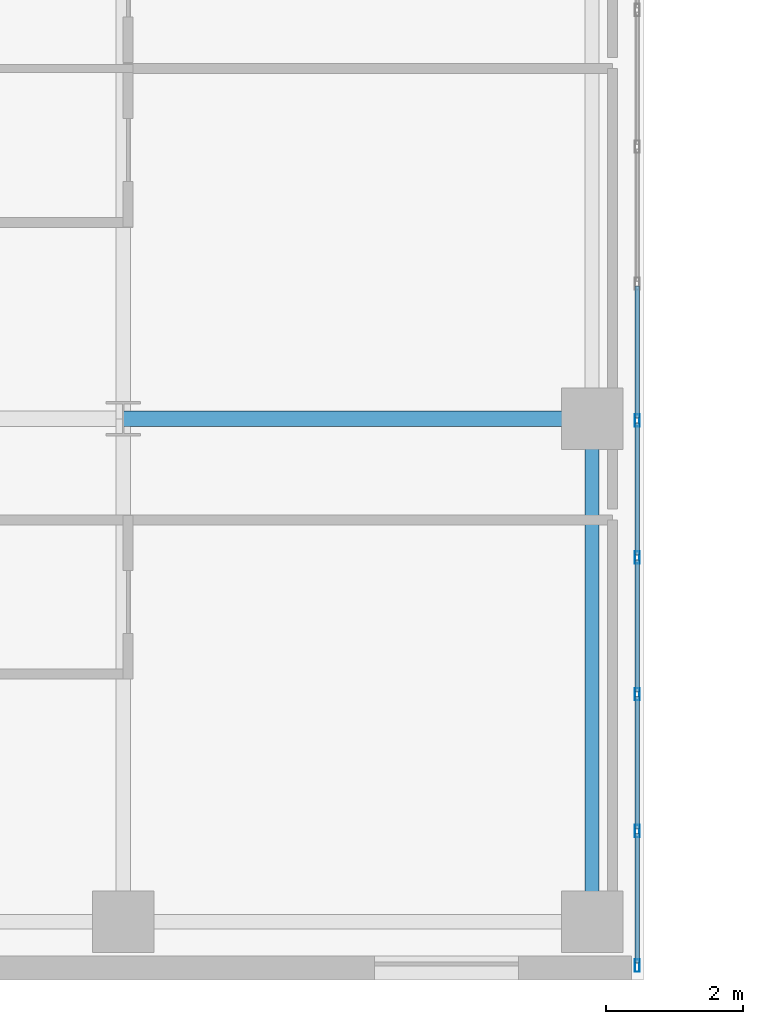
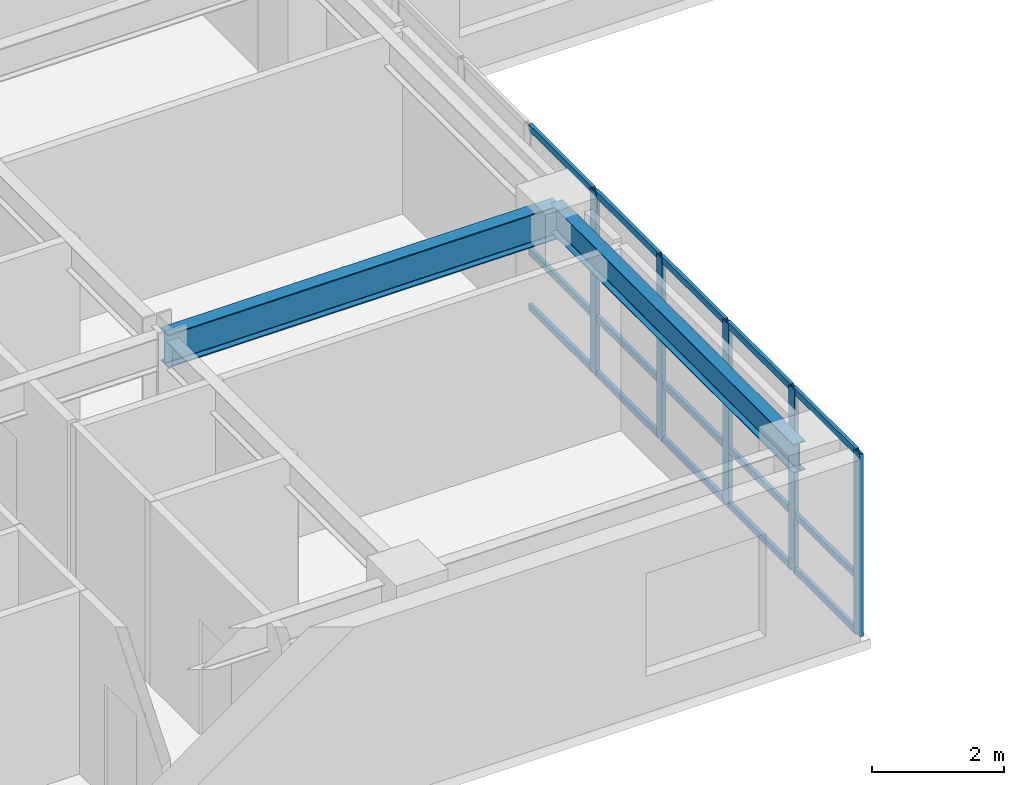
# One storey, part 2 of 17: 20 members, 2 beams, 1 element without a shape of its own.
"""IFC4 building model written with IfcOpenShell, lengths in metres."""

import ifcopenshell
import ifcopenshell.guid

model = None  # the IFC model being written
_history = None  # IfcOwnerHistory: only IFC2X3 demands one
_inside = {}  # id of a spatial element -> (the spatial element, [elements in it])
_under = {}  # id of a project, library or spatial element -> (it, [spatial elements below it])
_declared = {}  # id of a project -> (the project, [libraries it declares])
_typed = {}  # id of a type object -> (the type object, [elements of that type])
_made_of = {}  # id of a material, layer set ... -> (it, [elements and type objects made of it])


def new_model(schema):
    """Start an empty IFC model of exactly this schema.

    Asked for "IFC4X3", IfcOpenShell would pick the latest addendum, in which some entities
    have other attributes; the version numbers below select the first issue.
    IFC2X3 requires an IfcOwnerHistory on every rooted entity: one is made here for all.
    """
    global model, _history
    if schema == "IFC4X3":
        model = ifcopenshell.file(schema_version=(4, 3, 0, 0))
    else:
        model = ifcopenshell.file(schema=schema)
    _inside.clear()
    _under.clear()
    _declared.clear()
    _typed.clear()
    _made_of.clear()
    _history = None
    if model.schema == "IFC2X3":
        org = make("IfcOrganization", Name="unknown")
        user = make(
            "IfcPersonAndOrganization",
            ThePerson=make("IfcPerson", FamilyName="unknown"),
            TheOrganization=org,
        )
        app = make(
            "IfcApplication",
            ApplicationDeveloper=org,
            Version="unknown",
            ApplicationFullName="unknown",
            ApplicationIdentifier="unknown",
        )
        _history = make(
            "IfcOwnerHistory",
            OwningUser=user,
            OwningApplication=app,
            ChangeAction="ADDED",
            CreationDate=0,
        )
    return model


def make(cls, **values):
    """One entity of the class cls with the attributes given. An attribute that is None is left unset."""
    return model.create_entity(
        cls, **{name: value for name, value in values.items() if value is not None}
    )


def rooted(cls, **values):
    """An entity with a GlobalId (a new one), such as an element, a storey or a relation."""
    return make(cls, GlobalId=ifcopenshell.guid.new(), OwnerHistory=_history, **values)


def si_unit(unit_type, name, prefix=None):
    """IfcSIUnit, for example si_unit("LENGTHUNIT", "METRE", prefix="MILLI")."""
    return make("IfcSIUnit", UnitType=unit_type, Prefix=prefix, Name=name)


def assignment(units):
    """IfcUnitAssignment: the units of a project."""
    return None if units is None else make("IfcUnitAssignment", Units=units)


def point(xyz):
    """IfcCartesianPoint."""
    return None if xyz is None else make("IfcCartesianPoint", Coordinates=xyz)


def direction(xyz):
    """IfcDirection."""
    return None if xyz is None else make("IfcDirection", DirectionRatios=xyz)


def frame(location, z_axis=None, x_axis=None):
    """IfcAxis2Placement3D, a coordinate frame: its origin and axes. An axis left out is left unset."""
    return make(
        "IfcAxis2Placement3D",
        Location=point(location),
        Axis=direction(z_axis),
        RefDirection=direction(x_axis),
    )


def frame_2d(location, x_axis=None):
    """IfcAxis2Placement2D, a coordinate frame in the plane: its origin and x axis."""
    return make(
        "IfcAxis2Placement2D", Location=point(location), RefDirection=direction(x_axis)
    )


def origin():
    """The frame at (0, 0, 0) with its axes left unset."""
    return frame((0.0, 0.0, 0.0))


def origin_2d():
    """The frame at (0, 0) in the plane with its x axis left unset."""
    return frame_2d((0.0, 0.0))


def place(relative_to, where):
    """IfcLocalPlacement: puts the frame where relative to a parent placement (None: the world)."""
    return make(
        "IfcLocalPlacement", PlacementRelTo=relative_to, RelativePlacement=where
    )


def context(
    kind, dimensions, precision=None, world=None, true_north=None, identifier=None
):
    """IfcGeometricRepresentationContext, for example the 3D "Model" context."""
    return make(
        "IfcGeometricRepresentationContext",
        ContextIdentifier=identifier,
        ContextType=kind,
        CoordinateSpaceDimension=dimensions,
        Precision=precision,
        WorldCoordinateSystem=world,
        TrueNorth=true_north,
    )


def subcontext(parent, identifier, kind, view, scale=None):
    """IfcGeometricRepresentationSubContext, for example "Body" below "Model"."""
    return make(
        "IfcGeometricRepresentationSubContext",
        ContextIdentifier=identifier,
        ContextType=kind,
        ParentContext=parent,
        TargetScale=scale,
        TargetView=view,
    )


def project(units=None, contexts=None):
    """IfcProject with its units and contexts."""
    return rooted(
        "IfcProject",
        Name="project",
        RepresentationContexts=contexts,
        UnitsInContext=assignment(units),
    )


def spatial(cls, under=None, at=None, **own):
    """A site, building, storey or space (cls), placed at a placement, below another one or the project."""
    s = rooted(cls, ObjectPlacement=at, **own)
    if under is not None:
        _under.setdefault(under.id(), (under, []))[1].append(s)
    return s


def profile(cls, at=None, kind="AREA", **sizes):
    """A parametric profile (cls). Its sizes go by their IFC names, for example OverallWidth=200.0."""
    return make(cls, ProfileType=kind, Position=at, **sizes)


def hollow_rectangle(**sizes):
    """IfcRectangleHollowProfileDef."""
    return profile("IfcRectangleHollowProfileDef", **sizes)


def i_section(**sizes):
    """IfcIShapeProfileDef."""
    return profile("IfcIShapeProfileDef", **sizes)


def extrude(swept, where, along, depth):
    """IfcExtrudedAreaSolid: the profile swept, set in the frame where, extruded along a direction by depth."""
    return make(
        "IfcExtrudedAreaSolid",
        SweptArea=swept,
        Position=where,
        ExtrudedDirection=direction(along),
        Depth=depth,
    )


def shape(context_of_items, identifier, shape_type, items):
    """IfcShapeRepresentation: the items that make up one representation, for example the "Body"."""
    return make(
        "IfcShapeRepresentation",
        ContextOfItems=context_of_items,
        RepresentationIdentifier=identifier,
        RepresentationType=shape_type,
        Items=items,
    )


def source(mapping_origin, context_of_items, identifier, shape_type, items):
    """IfcRepresentationMap: a shape defined once, which mapped items show again and again."""
    return make(
        "IfcRepresentationMap",
        MappingOrigin=mapping_origin,
        MappedRepresentation=shape(context_of_items, identifier, shape_type, items),
    )


def transform(
    local_origin,
    x_axis=None,
    y_axis=None,
    z_axis=None,
    scale=None,
    scale2=None,
    scale3=None,
    uniform=True,
):
    """IfcCartesianTransformationOperator3D, or its non-uniform kind. x_axis, y_axis, z_axis: its Axis1, 2, 3."""
    if uniform:
        return make(
            "IfcCartesianTransformationOperator3D",
            Axis1=direction(x_axis),
            Axis2=direction(y_axis),
            LocalOrigin=point(local_origin),
            Scale=scale,
            Axis3=direction(z_axis),
        )
    return make(
        "IfcCartesianTransformationOperator3DnonUniform",
        Axis1=direction(x_axis),
        Axis2=direction(y_axis),
        LocalOrigin=point(local_origin),
        Scale=scale,
        Axis3=direction(z_axis),
        Scale2=scale2,
        Scale3=scale3,
    )


def mapped(mapping_source, mapping_target):
    """IfcMappedItem: shows the shape of a source again, moved by a transform."""
    return make(
        "IfcMappedItem", MappingSource=mapping_source, MappingTarget=mapping_target
    )


def material(Name=None, Category=None):
    """IfcMaterial."""
    return make("IfcMaterial", Name=Name, Category=Category)


def layer(
    of_material, thickness, ventilated=None, Name=None, Category=None, Priority=None
):
    """IfcMaterialLayer: one layer of a wall or slab, of a material (None: an air gap)."""
    return make(
        "IfcMaterialLayer",
        Material=of_material,
        LayerThickness=thickness,
        IsVentilated=ventilated,
        Name=Name,
        Category=Category,
        Priority=Priority,
    )


def layer_set(layers, Name=None):
    """IfcMaterialLayerSet."""
    return make("IfcMaterialLayerSet", MaterialLayers=layers, LayerSetName=Name)


def material_profile(
    of_material, cross_section, Name=None, Category=None, Priority=None
):
    """IfcMaterialProfile: a cross section and its material."""
    return make(
        "IfcMaterialProfile",
        Name=Name,
        Material=of_material,
        Profile=cross_section,
        Priority=Priority,
        Category=Category,
    )


def profile_set(profiles, Name=None, composite=None):
    """IfcMaterialProfileSet."""
    return make(
        "IfcMaterialProfileSet",
        Name=Name,
        MaterialProfiles=profiles,
        CompositeProfile=composite,
    )


def made_of(thing, what):
    """Note that an element or type object is made of a material, layer set ...; save() writes the relation."""
    if what is not None:
        _made_of.setdefault(what.id(), (what, []))[1].append(thing)
    return thing


def type_object(cls, material=None, **own):
    """A type object (cls), such as IfcWallType, which elements share."""
    return made_of(rooted(cls, **own), material)


def type_shapes(of_type, sources):
    """Give a type object the sources (RepresentationMaps) that its elements show as mapped items."""
    of_type.RepresentationMaps = sources


def element(
    cls,
    number,
    at=None,
    inside=None,
    cuts=None,
    type_object=None,
    material=None,
    context=None,
    identifier="Body",
    shape_type=None,
    held_by="IfcProductDefinitionShape",
    body=None,
    shapes=None,
    **own,
):
    """One element of the class cls, such as IfcWall. Its Tag is "e" and its number.

    at: its placement. inside: the storey or other place that contains it. cuts: it is an
    opening in that element (IfcRelVoidsElement). A single representation is given by context,
    identifier, shape_type and body (its items); several are given by shapes. held_by: the class
    of the entity that holds the representations. save() writes the other relations.
    """
    e = rooted(cls, Tag="e%d" % number, ObjectPlacement=at, **own)
    if body is not None:
        shapes = [shape(context, identifier, shape_type, body)]
    if shapes is not None:
        e.Representation = make(held_by, Representations=shapes)
    if inside is not None:
        _inside.setdefault(inside.id(), (inside, []))[1].append(e)
    if cuts is not None:
        rooted(
            "IfcRelVoidsElement", RelatingBuildingElement=cuts, RelatedOpeningElement=e
        )
    if type_object is not None:
        _typed.setdefault(type_object.id(), (type_object, []))[1].append(e)
    return made_of(e, material)


def aggregate(whole, parts):
    """IfcRelAggregates: a whole, such as a stair, and the parts it consists of."""
    return rooted("IfcRelAggregates", RelatingObject=whole, RelatedObjects=parts)


def save(model, path):
    """Write the relations noted so far, then the file.

    IfcRelAggregates (storeys below a building ...), IfcRelContainedInSpatialStructure (elements
    in a storey), IfcRelDefinesByType, IfcRelAssociatesMaterial and IfcRelDeclares: one each for
    every whole, place, type object, material and project.
    """
    for whole, parts in _under.values():
        aggregate(whole, parts)
    for where, things in _inside.values():
        rooted(
            "IfcRelContainedInSpatialStructure",
            RelatedElements=things,
            RelatingStructure=where,
        )
    for kind, things in _typed.values():
        rooted("IfcRelDefinesByType", RelatedObjects=things, RelatingType=kind)
    for what, things in _made_of.values():
        rooted("IfcRelAssociatesMaterial", RelatedObjects=things, RelatingMaterial=what)
    for by, libraries in _declared.values():
        rooted("IfcRelDeclares", RelatingContext=by, RelatedDefinitions=libraries)
    model.write(path)


model = new_model("IFC4")

# Units and contexts
model_context = context("Model", 3, precision=1e-05, world=origin(), true_north=direction((0.0, 1.0)))
body_context = subcontext(model_context, "Body", "Model", "MODEL_VIEW")
ifc_project = project(units=[si_unit("LENGTHUNIT", "METRE"), si_unit("AREAUNIT", "SQUARE_METRE"), si_unit("VOLUMEUNIT", "CUBIC_METRE"), si_unit("PLANEANGLEUNIT", "RADIAN"), si_unit("MASSUNIT", "GRAM", prefix="KILO")], contexts=[model_context])

# Site, building, storey
site_placement = place(None, origin())
site = spatial("IfcSite", under=ifc_project, at=site_placement, CompositionType="ELEMENT")
building_placement = place(site_placement, origin())
building = spatial("IfcBuilding", under=site, at=building_placement, Name="Tolvann Quenvar Hotel", CompositionType="ELEMENT")
storey_placement = place(building_placement, frame((0.0, 0.0, 129.300048828125)))
storey = spatial("IfcBuildingStorey", under=building, at=storey_placement, Name="L33", CompositionType="ELEMENT", Elevation=129.300048828125)

# Beams
ifc_material_1 = material(Name="Steel Grade 350", Category="steel")
ifc_material_profile_1 = material_profile(ifc_material_1, i_section(OverallWidth=0.22900390625, OverallDepth=0.612060546875, WebThickness=0.011962890625, FlangeThickness=0.01953125, FilletRadius=0.013916015625, at=origin_2d()), Name="610UB125")
ifc_profile_set_1 = profile_set([ifc_material_profile_1], Name="Steel Grade 350")
beam_type_1 = type_object("IfcBeamType", Name="BM_GIRD_610UB125", PredefinedType="BEAM", material=ifc_profile_set_1)
shared_shape_1 = source(origin(), body_context, "Body", "SweptSolid", [
    extrude(i_section(OverallWidth=0.22900390625, OverallDepth=0.612060546875, WebThickness=0.011962890625, FlangeThickness=0.01953125, FilletRadius=0.013916015625, at=origin_2d()), origin(), (0.0, 0.0, 1.0), 6.85009765625),
])
type_shapes(beam_type_1, [shared_shape_1])
beam_1_placement = place(storey_placement, frame((15.199951171875, 8.199951171875, 3.06396484375), z_axis=(1.0, 0.0, 0.0), x_axis=(0.0, 1.0, 0.0)))
element("IfcBeam", 1, at=beam_1_placement, inside=storey, type_object=beam_type_1, Name="BM-L33-EW-3-D3-E3", PredefinedType="BEAM", context=body_context, shape_type="MappedRepresentation", body=[
    mapped(shared_shape_1, transform((0.0, 0.0, 0.0), x_axis=(1.0, 0.0, 0.0), y_axis=(0.0, 1.0, 0.0), z_axis=(0.0, 0.0, 1.0), scale=1.0)),
])
ifc_material_profile_2 = material_profile(ifc_material_1, i_section(OverallWidth=0.208984375, OverallDepth=0.532958984375, WebThickness=0.01025390625, FlangeThickness=0.015625, FilletRadius=0.013916015625, at=origin_2d()), Name="530UB92")
ifc_profile_set_2 = profile_set([ifc_material_profile_2], Name="Steel Grade 350")
beam_type_2 = type_object("IfcBeamType", Name="BM_GIRD_530UB92", PredefinedType="BEAM", material=ifc_profile_set_2)
shared_shape_2 = source(origin(), body_context, "Body", "SweptSolid", [
    extrude(i_section(OverallWidth=0.208984375, OverallDepth=0.532958984375, WebThickness=0.01025390625, FlangeThickness=0.015625, FilletRadius=0.013916015625, at=origin_2d()), origin(), (0.0, 0.0, 1.0), 7.349853515625),
])
type_shapes(beam_type_2, [shared_shape_2])
beam_2_placement = place(storey_placement, frame((22.050048828125, 0.85009765625, 3.103515625), z_axis=(0.0, 1.0, 0.0), x_axis=(-1.0, 0.0, 0.0)))
element("IfcBeam", 2, at=beam_2_placement, inside=storey, type_object=beam_type_2, Name="BM-L33-NS-E2-E3", PredefinedType="BEAM", context=body_context, shape_type="MappedRepresentation", body=[
    mapped(shared_shape_2, transform((0.0, 0.0, 0.0), x_axis=(1.0, 0.0, 0.0), y_axis=(0.0, 1.0, 0.0), z_axis=(0.0, 0.0, 1.0), scale=1.0)),
])

# Curtain wall, members
ifc_material_2 = material(Name="Thermally broken anodised architectural aluminium 6063-T6 and laminated low-E glass", Category="aluminium")
ifc_layer = layer(ifc_material_2, 0.179931640625)
ifc_layer_set = layer_set([ifc_layer], Name="Thermally broken anodised architectural aluminium 6063-T6 and laminated low-E glass")
curtain_wall_type = type_object("IfcCurtainWallType", Name="CW_SYS_SLOT_03", PredefinedType="USERDEFINED", material=ifc_layer_set)
curtain_wall_placement = place(storey_placement, origin())
curtain_wall = element("IfcCurtainWall", 3, at=curtain_wall_placement, inside=storey, type_object=curtain_wall_type, Name="Curtain Wall CW-SLOT-03 (CWR-L33-E05)", ObjectType="UNITISED CURTAIN WALL", PredefinedType="USERDEFINED")
ifc_material_3 = material(Name="Anodised architectural aluminium 6063-T6 framing", Category="aluminium")
ifc_material_profile_3 = material_profile(ifc_material_3, hollow_rectangle(XDim=0.06005859375, YDim=0.1201171875, WallThickness=0.00341796875, at=origin_2d()), Name="120x60x3.5RHS")
ifc_profile_set_3 = profile_set([ifc_material_profile_3], Name="Anodised architectural aluminium 6063-T6 framing")
member_type_1 = type_object("IfcMemberType", Name="CW_TRAN_120x60", PredefinedType="USERDEFINED", material=ifc_profile_set_3)
shared_shape_3 = source(origin(), body_context, "Body", "SweptSolid", [
    extrude(hollow_rectangle(XDim=0.06005859375, YDim=0.1201171875, WallThickness=0.00341796875, at=origin_2d()), origin(), (0.0, 0.0, 1.0), 1.894775390625),
])
member_1_placement = place(storey_placement, frame((22.7099609375, 0.2451171875, 0.030029296875), z_axis=(0.0, 1.0, 0.0), x_axis=(-1.0, 0.0, 0.0)))
member_1 = element("IfcMember", 4, at=member_1_placement, type_object=member_type_1, Name="CW-SLOT-03 transom 1.1", ObjectType="TRANSOM", PredefinedType="USERDEFINED", context=body_context, shape_type="MappedRepresentation", body=[
    mapped(shared_shape_3, transform((0.0, 0.0, 0.0), x_axis=(1.0, 0.0, 0.0), y_axis=(0.0, 1.0, 0.0), z_axis=(0.0, 0.0, 1.0), scale=1.0)),
])
member_2_placement = place(storey_placement, frame((22.7099609375, 0.2451171875, 1.050048828125), z_axis=(0.0, 1.0, 0.0), x_axis=(-1.0, 0.0, 0.0)))
member_2 = element("IfcMember", 5, at=member_2_placement, type_object=member_type_1, Name="CW-SLOT-03 transom 1.2", ObjectType="TRANSOM", PredefinedType="USERDEFINED", context=body_context, shape_type="MappedRepresentation", body=[
    mapped(shared_shape_3, transform((0.0, 0.0, 0.0), x_axis=(1.0, 0.0, 0.0), y_axis=(0.0, 1.0, 0.0), z_axis=(0.0, 0.0, 1.0), scale=1.0)),
])
member_3_placement = place(storey_placement, frame((22.7099609375, 0.2451171875, 3.33984375), z_axis=(0.0, 1.0, 0.0), x_axis=(-1.0, 0.0, 0.0)))
member_3 = element("IfcMember", 6, at=member_3_placement, type_object=member_type_1, Name="CW-SLOT-03 transom 1.3", ObjectType="TRANSOM", PredefinedType="USERDEFINED", context=body_context, shape_type="MappedRepresentation", body=[
    mapped(shared_shape_3, transform((0.0, 0.0, 0.0), x_axis=(1.0, 0.0, 0.0), y_axis=(0.0, 1.0, 0.0), z_axis=(0.0, 0.0, 1.0), scale=1.0)),
])
shared_shape_4 = source(origin(), body_context, "Body", "SweptSolid", [
    extrude(hollow_rectangle(XDim=0.06005859375, YDim=0.1201171875, WallThickness=0.00341796875, at=origin_2d()), origin(), (0.0, 0.0, 1.0), 1.929931640625),
])
type_shapes(member_type_1, [shared_shape_3, shared_shape_4])
member_4_placement = place(storey_placement, frame((22.7099609375, 2.2099609375, 0.030029296875), z_axis=(0.0, 1.0, 0.0), x_axis=(-1.0, 0.0, 0.0)))
member_4 = element("IfcMember", 7, at=member_4_placement, type_object=member_type_1, Name="CW-SLOT-03 transom 2.1", ObjectType="TRANSOM", PredefinedType="USERDEFINED", context=body_context, shape_type="MappedRepresentation", body=[
    mapped(shared_shape_4, transform((0.0, 0.0, 0.0), x_axis=(1.0, 0.0, 0.0), y_axis=(0.0, 1.0, 0.0), z_axis=(0.0, 0.0, 1.0), scale=1.0)),
])
member_5_placement = place(storey_placement, frame((22.7099609375, 2.2099609375, 1.050048828125), z_axis=(0.0, 1.0, 0.0), x_axis=(-1.0, 0.0, 0.0)))
member_5 = element("IfcMember", 8, at=member_5_placement, type_object=member_type_1, Name="CW-SLOT-03 transom 2.2", ObjectType="TRANSOM", PredefinedType="USERDEFINED", context=body_context, shape_type="MappedRepresentation", body=[
    mapped(shared_shape_4, transform((0.0, 0.0, 0.0), x_axis=(1.0, 0.0, 0.0), y_axis=(0.0, 1.0, 0.0), z_axis=(0.0, 0.0, 1.0), scale=1.0)),
])
member_6_placement = place(storey_placement, frame((22.7099609375, 2.2099609375, 3.33984375), z_axis=(0.0, 1.0, 0.0), x_axis=(-1.0, 0.0, 0.0)))
member_6 = element("IfcMember", 9, at=member_6_placement, type_object=member_type_1, Name="CW-SLOT-03 transom 2.3", ObjectType="TRANSOM", PredefinedType="USERDEFINED", context=body_context, shape_type="MappedRepresentation", body=[
    mapped(shared_shape_4, transform((0.0, 0.0, 0.0), x_axis=(1.0, 0.0, 0.0), y_axis=(0.0, 1.0, 0.0), z_axis=(0.0, 0.0, 1.0), scale=1.0)),
])
member_7_placement = place(storey_placement, frame((22.7099609375, 4.2099609375, 0.030029296875), z_axis=(0.0, 1.0, 0.0), x_axis=(-1.0, 0.0, 0.0)))
member_7 = element("IfcMember", 10, at=member_7_placement, type_object=member_type_1, Name="CW-SLOT-03 transom 3.1", ObjectType="TRANSOM", PredefinedType="USERDEFINED", context=body_context, shape_type="MappedRepresentation", body=[
    mapped(shared_shape_4, transform((0.0, 0.0, 0.0), x_axis=(1.0, 0.0, 0.0), y_axis=(0.0, 1.0, 0.0), z_axis=(0.0, 0.0, 1.0), scale=1.0)),
])
member_8_placement = place(storey_placement, frame((22.7099609375, 4.2099609375, 1.050048828125), z_axis=(0.0, 1.0, 0.0), x_axis=(-1.0, 0.0, 0.0)))
member_8 = element("IfcMember", 11, at=member_8_placement, type_object=member_type_1, Name="CW-SLOT-03 transom 3.2", ObjectType="TRANSOM", PredefinedType="USERDEFINED", context=body_context, shape_type="MappedRepresentation", body=[
    mapped(shared_shape_4, transform((0.0, 0.0, 0.0), x_axis=(1.0, 0.0, 0.0), y_axis=(0.0, 1.0, 0.0), z_axis=(0.0, 0.0, 1.0), scale=1.0)),
])
member_9_placement = place(storey_placement, frame((22.7099609375, 4.2099609375, 3.33984375), z_axis=(0.0, 1.0, 0.0), x_axis=(-1.0, 0.0, 0.0)))
member_9 = element("IfcMember", 12, at=member_9_placement, type_object=member_type_1, Name="CW-SLOT-03 transom 3.3", ObjectType="TRANSOM", PredefinedType="USERDEFINED", context=body_context, shape_type="MappedRepresentation", body=[
    mapped(shared_shape_4, transform((0.0, 0.0, 0.0), x_axis=(1.0, 0.0, 0.0), y_axis=(0.0, 1.0, 0.0), z_axis=(0.0, 0.0, 1.0), scale=1.0)),
])
member_10_placement = place(storey_placement, frame((22.7099609375, 6.2099609375, 0.030029296875), z_axis=(0.0, 1.0, 0.0), x_axis=(-1.0, 0.0, 0.0)))
member_10 = element("IfcMember", 13, at=member_10_placement, type_object=member_type_1, Name="CW-SLOT-03 transom 4.1", ObjectType="TRANSOM", PredefinedType="USERDEFINED", context=body_context, shape_type="MappedRepresentation", body=[
    mapped(shared_shape_4, transform((0.0, 0.0, 0.0), x_axis=(1.0, 0.0, 0.0), y_axis=(0.0, 1.0, 0.0), z_axis=(0.0, 0.0, 1.0), scale=1.0)),
])
member_11_placement = place(storey_placement, frame((22.7099609375, 6.2099609375, 1.050048828125), z_axis=(0.0, 1.0, 0.0), x_axis=(-1.0, 0.0, 0.0)))
member_11 = element("IfcMember", 14, at=member_11_placement, type_object=member_type_1, Name="CW-SLOT-03 transom 4.2", ObjectType="TRANSOM", PredefinedType="USERDEFINED", context=body_context, shape_type="MappedRepresentation", body=[
    mapped(shared_shape_4, transform((0.0, 0.0, 0.0), x_axis=(1.0, 0.0, 0.0), y_axis=(0.0, 1.0, 0.0), z_axis=(0.0, 0.0, 1.0), scale=1.0)),
])
member_12_placement = place(storey_placement, frame((22.7099609375, 6.2099609375, 3.33984375), z_axis=(0.0, 1.0, 0.0), x_axis=(-1.0, 0.0, 0.0)))
member_12 = element("IfcMember", 15, at=member_12_placement, type_object=member_type_1, Name="CW-SLOT-03 transom 4.3", ObjectType="TRANSOM", PredefinedType="USERDEFINED", context=body_context, shape_type="MappedRepresentation", body=[
    mapped(shared_shape_4, transform((0.0, 0.0, 0.0), x_axis=(1.0, 0.0, 0.0), y_axis=(0.0, 1.0, 0.0), z_axis=(0.0, 0.0, 1.0), scale=1.0)),
])
member_13_placement = place(storey_placement, frame((22.7099609375, 8.2099609375, 0.030029296875), z_axis=(0.0, 1.0, 0.0), x_axis=(-1.0, 0.0, 0.0)))
member_13 = element("IfcMember", 16, at=member_13_placement, type_object=member_type_1, Name="CW-SLOT-03 transom 5.1", ObjectType="TRANSOM", PredefinedType="USERDEFINED", context=body_context, shape_type="MappedRepresentation", body=[
    mapped(shared_shape_4, transform((0.0, 0.0, 0.0), x_axis=(1.0, 0.0, 0.0), y_axis=(0.0, 1.0, 0.0), z_axis=(0.0, 0.0, 1.0), scale=1.0)),
])
member_14_placement = place(storey_placement, frame((22.7099609375, 8.2099609375, 1.050048828125), z_axis=(0.0, 1.0, 0.0), x_axis=(-1.0, 0.0, 0.0)))
member_14 = element("IfcMember", 17, at=member_14_placement, type_object=member_type_1, Name="CW-SLOT-03 transom 5.2", ObjectType="TRANSOM", PredefinedType="USERDEFINED", context=body_context, shape_type="MappedRepresentation", body=[
    mapped(shared_shape_4, transform((0.0, 0.0, 0.0), x_axis=(1.0, 0.0, 0.0), y_axis=(0.0, 1.0, 0.0), z_axis=(0.0, 0.0, 1.0), scale=1.0)),
])
member_15_placement = place(storey_placement, frame((22.7099609375, 8.2099609375, 3.33984375), z_axis=(0.0, 1.0, 0.0), x_axis=(-1.0, 0.0, 0.0)))
member_15 = element("IfcMember", 18, at=member_15_placement, type_object=member_type_1, Name="CW-SLOT-03 transom 5.3", ObjectType="TRANSOM", PredefinedType="USERDEFINED", context=body_context, shape_type="MappedRepresentation", body=[
    mapped(shared_shape_4, transform((0.0, 0.0, 0.0), x_axis=(1.0, 0.0, 0.0), y_axis=(0.0, 1.0, 0.0), z_axis=(0.0, 0.0, 1.0), scale=1.0)),
])
ifc_material_profile_4 = material_profile(ifc_material_3, hollow_rectangle(XDim=0.070068359375, YDim=0.179931640625, WallThickness=0.00390625, at=origin_2d()), Name="180x70x4RHS")
ifc_profile_set_4 = profile_set([ifc_material_profile_4], Name="Anodised architectural aluminium 6063-T6 framing")
member_type_2 = type_object("IfcMemberType", Name="CW_MULL_180x70", PredefinedType="MULLION", material=ifc_profile_set_4)
shared_shape_5 = source(origin(), body_context, "Body", "SweptSolid", [
    extrude(hollow_rectangle(XDim=0.070068359375, YDim=0.179931640625, WallThickness=0.00390625, at=origin_2d()), origin(), (0.0, 0.0, 1.0), 3.369873046875),
])
type_shapes(member_type_2, [shared_shape_5])
member_16_placement = place(storey_placement, frame((22.7099609375, 0.2099609375, 0.0), z_axis=(0.0, 0.0, 1.0), x_axis=(-1.0, 0.0, 0.0)))
member_16 = element("IfcMember", 19, at=member_16_placement, type_object=member_type_2, Name="CW-SLOT-03 mullion 1", PredefinedType="MULLION", context=body_context, shape_type="MappedRepresentation", body=[
    mapped(shared_shape_5, transform((0.0, 0.0, 0.0), x_axis=(1.0, 0.0, 0.0), y_axis=(0.0, 1.0, 0.0), z_axis=(0.0, 0.0, 1.0), scale=1.0)),
])
member_17_placement = place(storey_placement, frame((22.7099609375, 2.175048828125, 0.0), z_axis=(0.0, 0.0, 1.0), x_axis=(-1.0, 0.0, 0.0)))
member_17 = element("IfcMember", 20, at=member_17_placement, type_object=member_type_2, Name="CW-SLOT-03 mullion 2", PredefinedType="MULLION", context=body_context, shape_type="MappedRepresentation", body=[
    mapped(shared_shape_5, transform((0.0, 0.0, 0.0), x_axis=(1.0, 0.0, 0.0), y_axis=(0.0, 1.0, 0.0), z_axis=(0.0, 0.0, 1.0), scale=1.0)),
])
member_18_placement = place(storey_placement, frame((22.7099609375, 4.175048828125, 0.0), z_axis=(0.0, 0.0, 1.0), x_axis=(-1.0, 0.0, 0.0)))
member_18 = element("IfcMember", 21, at=member_18_placement, type_object=member_type_2, Name="CW-SLOT-03 mullion 3", PredefinedType="MULLION", context=body_context, shape_type="MappedRepresentation", body=[
    mapped(shared_shape_5, transform((0.0, 0.0, 0.0), x_axis=(1.0, 0.0, 0.0), y_axis=(0.0, 1.0, 0.0), z_axis=(0.0, 0.0, 1.0), scale=1.0)),
])
member_19_placement = place(storey_placement, frame((22.7099609375, 6.175048828125, 0.0), z_axis=(0.0, 0.0, 1.0), x_axis=(-1.0, 0.0, 0.0)))
member_19 = element("IfcMember", 22, at=member_19_placement, type_object=member_type_2, Name="CW-SLOT-03 mullion 4", PredefinedType="MULLION", context=body_context, shape_type="MappedRepresentation", body=[
    mapped(shared_shape_5, transform((0.0, 0.0, 0.0), x_axis=(1.0, 0.0, 0.0), y_axis=(0.0, 1.0, 0.0), z_axis=(0.0, 0.0, 1.0), scale=1.0)),
])
member_20_placement = place(storey_placement, frame((22.7099609375, 8.175048828125, 0.0), z_axis=(0.0, 0.0, 1.0), x_axis=(-1.0, 0.0, 0.0)))
member_20 = element("IfcMember", 23, at=member_20_placement, type_object=member_type_2, Name="CW-SLOT-03 mullion 5", PredefinedType="MULLION", context=body_context, shape_type="MappedRepresentation", body=[
    mapped(shared_shape_5, transform((0.0, 0.0, 0.0), x_axis=(1.0, 0.0, 0.0), y_axis=(0.0, 1.0, 0.0), z_axis=(0.0, 0.0, 1.0), scale=1.0)),
])
aggregate(curtain_wall, [member_16, member_17, member_18, member_19, member_20, member_1, member_2, member_3, member_4, member_5, member_6, member_7, member_8, member_9, member_10, member_11, member_12, member_13, member_14, member_15])

save(model, "model.ifc")
